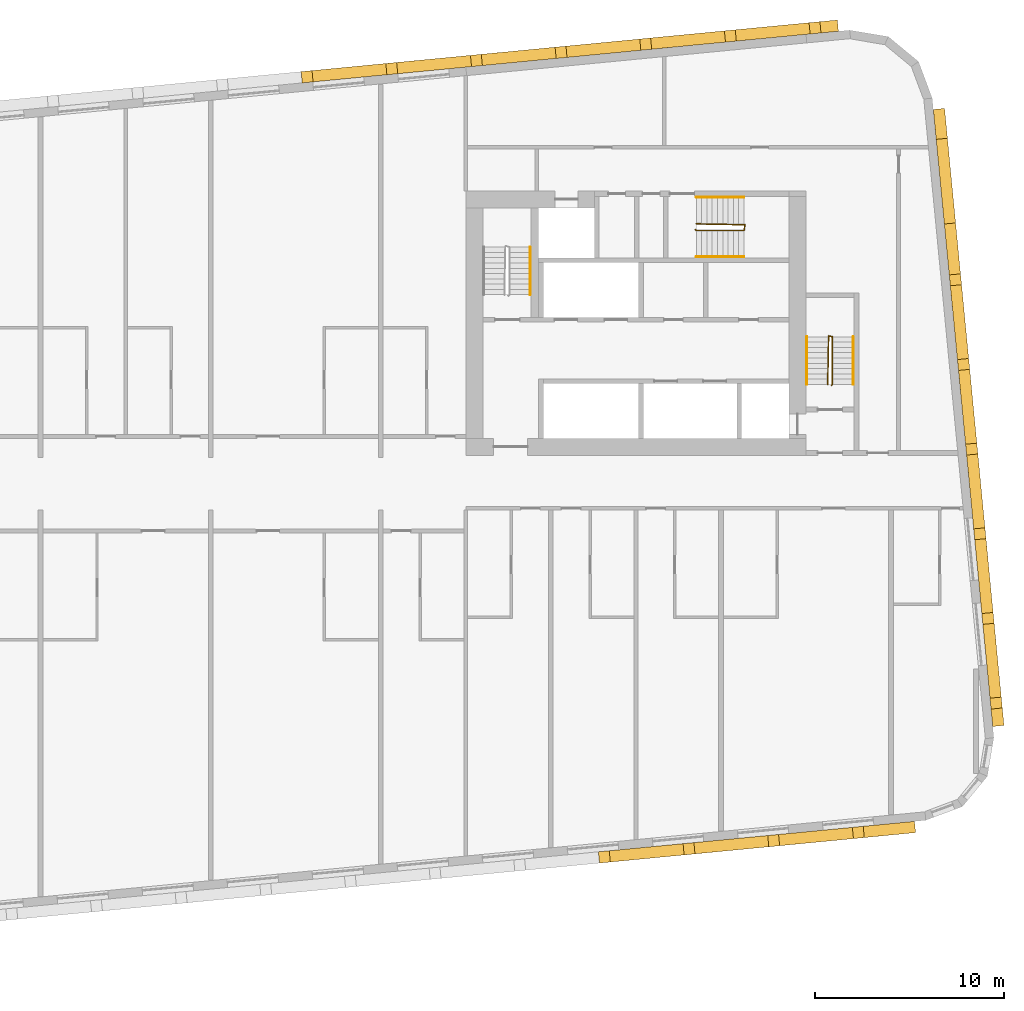
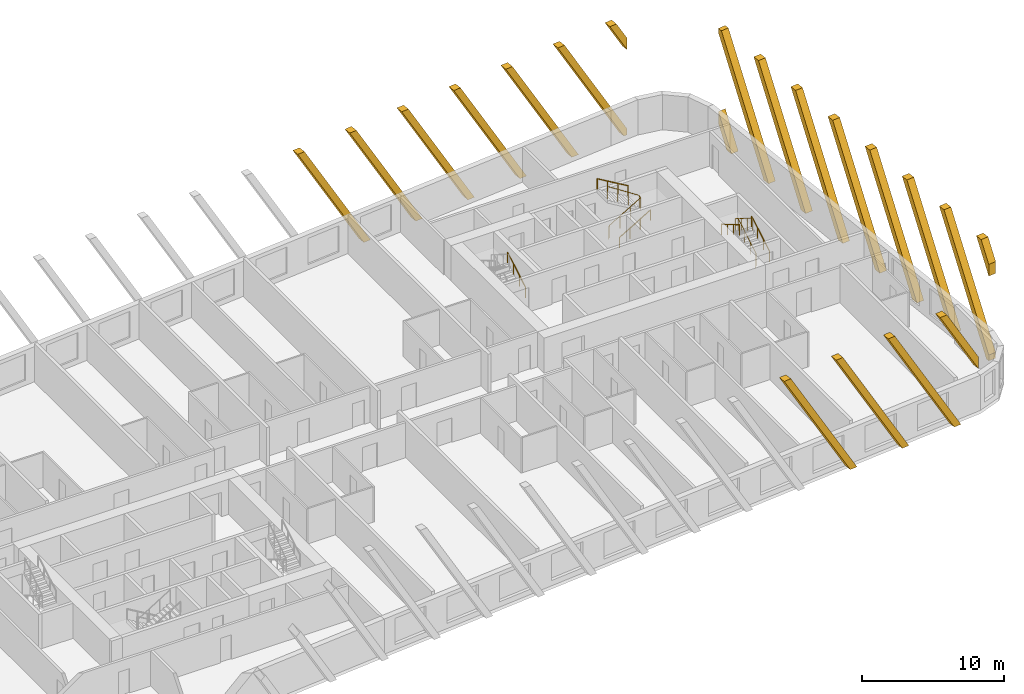
# One storey, part 13 of 13: 20 coverings, 7 railings.
"""IFC4 building model written with IfcOpenShell, lengths in metres."""

from ifc_helpers import new_model, si_unit, direction, frame, origin, origin_2d, place, context, subcontext, project, spatial, polyline, rectangle, circle, outline, extrude, material, material_profile, profile_set, type_object, element, save


model = new_model("IFC4")

# Units and contexts
model_context = context("Model", 3, precision=1e-05, world=origin(), true_north=direction((0.0, 1.0)))
body_context = subcontext(model_context, "Body", "Model", "MODEL_VIEW")
ifc_project = project(units=[si_unit("LENGTHUNIT", "METRE"), si_unit("AREAUNIT", "SQUARE_METRE"), si_unit("VOLUMEUNIT", "CUBIC_METRE"), si_unit("PLANEANGLEUNIT", "RADIAN"), si_unit("MASSUNIT", "GRAM", prefix="KILO")], contexts=[model_context])

# Site, building, storey
site_placement = place(None, origin())
site = spatial("IfcSite", under=ifc_project, at=site_placement, CompositionType="ELEMENT")
building_placement = place(site_placement, origin())
building = spatial("IfcBuilding", under=site, at=building_placement, Name="Kajstack Hotel Tower", CompositionType="ELEMENT")
storey_placement = place(building_placement, frame((0.0, 0.0, 166.89990234375)))
storey = spatial("IfcBuildingStorey", under=building, at=storey_placement, Name="L38", CompositionType="ELEMENT", Elevation=166.89990234375)

# Coverings
ifc_material_1 = material(Name="Terracotta", Category="masonry")
ifc_material_profile = material_profile(ifc_material_1, rectangle(XDim=0.60009765625, YDim=0.5, at=origin_2d()), Name="Terracotta-clad concrete baguette 500 x 600")
ifc_profile_set = profile_set([ifc_material_profile], Name="Terracotta")
covering_type = type_object("IfcCoveringType", Name="BAGUETTE 500x600", PredefinedType="CLADDING", material=ifc_profile_set)
for number, where, z_axis, x_axis, name in (
    (1, (20.515869140625, -19.477294921875, 0.0), (0.095634862357, -0.995416482233, 0.0), (0.995416482233, 0.095634862357, 0.0), "Baguette L38-04-052"),
    (2, (24.9951171875, -19.0458984375, 0.0), (0.095634862357, -0.995416482233, 0.0), (0.995416482233, 0.095634862357, 0.0), "Baguette L38-04-056"),
    (3, (29.474365234375, -18.61474609375, 0.0), (0.095634862357, -0.995416482233, 0.0), (0.995416482233, 0.095634862357, 0.0), "Baguette L38-04-060"),
):
    element("IfcCovering", number, at=place(storey_placement, frame(where, z_axis=z_axis, x_axis=x_axis)), inside=storey, type_object=covering_type, Name=name, PredefinedType="CLADDING", context=body_context, shape_type="SweptSolid", body=[
        extrude(outline(polyline([(0.0, 9.89990234375), (5.7158203125, 0.0), (6.293212890625, 0.0), (0.577392578125, 9.89990234375), (0.0, 9.89990234375)])), origin(), (0.0, 0.0, 1.0), 0.599853515625),
    ])
covering_1_placement = place(storey_placement, frame((33.95361328125, -18.183349609375, 0.0), z_axis=(0.096038073607, -0.995377661201, 0.0), x_axis=(0.995377661201, 0.096038073607, 0.0)))
element("IfcCovering", 4, at=covering_1_placement, inside=storey, type_object=covering_type, Name="Baguette L38-04-064", PredefinedType="CLADDING", context=body_context, shape_type="SweptSolid", body=[
    extrude(outline(polyline([(0.0, 9.89990234375), (3.304443359375, 4.176513671875), (3.304443359375, 5.176513671875), (0.577392578125, 9.89990234375), (0.0, 9.89990234375)])), origin(), (0.0, 0.0, 1.0), 0.599853515625),
])
covering_2_placement = place(storey_placement, frame((41.380859375, -12.846923828125, 0.0), z_axis=(0.995377661201, 0.096038073607, 0.0), x_axis=(-0.096038073607, 0.995377661201, 0.0)))
element("IfcCovering", 5, at=covering_2_placement, inside=storey, type_object=covering_type, Name="Baguette L38-08-000", PredefinedType="CLADDING", context=body_context, shape_type="SweptSolid", body=[
    extrude(outline(polyline([(0.927001953125, 9.89990234375), (0.0, 8.294189453125), (0.0, 7.294189453125), (1.50439453125, 9.89990234375), (0.927001953125, 9.89990234375)])), origin(), (0.0, 0.0, 1.0), 0.599853515625),
])
covering_3_placement = place(storey_placement, frame((41.380859375, -12.846923828125, 0.0), z_axis=(0.995377661201, 0.096038073607, 0.0), x_axis=(-0.096038073607, 0.995377661201, 0.0)))
element("IfcCovering", 6, at=covering_3_placement, inside=storey, type_object=covering_type, Name="Baguette L38-08-004", PredefinedType="CLADDING", context=body_context, shape_type="SweptSolid", body=[
    extrude(outline(polyline([(5.427001953125, 9.89990234375), (0.0, 0.5), (0.0, 0.0), (0.28857421875, 0.0), (6.00439453125, 9.89990234375), (5.427001953125, 9.89990234375)])), origin(), (0.0, 0.0, 1.0), 0.599853515625),
])
covering_4_placement = place(storey_placement, frame((40.97705078125, -8.655029296875, 0.0), z_axis=(0.995381412265, 0.095999188106, 0.0), x_axis=(-0.095999188106, 0.995381412265, 0.0)))
element("IfcCovering", 7, at=covering_4_placement, inside=storey, type_object=covering_type, Name="Baguette L38-08-008", PredefinedType="CLADDING", context=body_context, shape_type="SweptSolid", body=[
    extrude(outline(polyline([(5.7158203125, 9.89990234375), (0.0, 0.0), (0.577392578125, 0.0), (6.293212890625, 9.89990234375), (5.7158203125, 9.89990234375)])), origin(), (0.0, 0.0, 1.0), 0.60009765625),
])
covering_5_placement = place(storey_placement, frame((40.5458984375, -4.175537109375, 0.0), z_axis=(0.995416482233, 0.095634862357, 0.0), x_axis=(-0.095634862357, 0.995416482233, 0.0)))
element("IfcCovering", 8, at=covering_5_placement, inside=storey, type_object=covering_type, Name="Baguette L38-08-012", PredefinedType="CLADDING", context=body_context, shape_type="SweptSolid", body=[
    extrude(outline(polyline([(5.7158203125, 9.89990234375), (0.0, 0.0), (0.577392578125, 0.0), (6.293212890625, 9.89990234375), (5.7158203125, 9.89990234375)])), origin(), (0.0, 0.0, 1.0), 0.599853515625),
])
covering_6_placement = place(storey_placement, frame((40.114501953125, 0.3037109375, 0.0), z_axis=(0.995420202011, 0.095596137095, 0.0), x_axis=(-0.095596137095, 0.995420202011, 0.0)))
element("IfcCovering", 9, at=covering_6_placement, inside=storey, type_object=covering_type, Name="Baguette L38-08-016", PredefinedType="CLADDING", context=body_context, shape_type="SweptSolid", body=[
    extrude(outline(polyline([(5.7158203125, 9.89990234375), (0.0, 0.0), (0.577392578125, 0.0), (6.293212890625, 9.89990234375), (5.7158203125, 9.89990234375)])), origin(), (0.0, 0.0, 1.0), 0.60009765625),
])
for number, where, z_axis, x_axis, name in (
    (10, (39.683349609375, 4.782958984375, 0.0), (0.995416482233, 0.095634862357, 0.0), (-0.095634862357, 0.995416482233, 0.0), "Baguette L38-08-020"),
    (11, (39.251953125, 9.26220703125, 0.0), (0.995377661201, 0.096038073607, 0.0), (-0.096038073607, 0.995377661201, 0.0), "Baguette L38-08-024"),
):
    element("IfcCovering", number, at=place(storey_placement, frame(where, z_axis=z_axis, x_axis=x_axis)), inside=storey, type_object=covering_type, Name=name, PredefinedType="CLADDING", context=body_context, shape_type="SweptSolid", body=[
        extrude(outline(polyline([(5.7158203125, 9.89990234375), (0.0, 0.0), (0.577392578125, 0.0), (6.293212890625, 9.89990234375), (5.7158203125, 9.89990234375)])), origin(), (0.0, 0.0, 1.0), 0.599853515625),
    ])
covering_7_placement = place(storey_placement, frame((38.820556640625, 13.741455078125, 0.0), z_axis=(0.995381412265, 0.095999188106, 0.0), x_axis=(-0.095999188106, 0.995381412265, 0.0)))
element("IfcCovering", 12, at=covering_7_placement, inside=storey, type_object=covering_type, Name="Baguette L38-08-028", PredefinedType="CLADDING", context=body_context, shape_type="SweptSolid", body=[
    extrude(outline(polyline([(0.577392578125, 0.0), (6.088623046875, 9.545654296875), (6.088623046875, 9.89990234375), (5.7158203125, 9.89990234375), (0.0, 0.0), (0.577392578125, 0.0)])), origin(), (0.0, 0.0, 1.0), 0.60009765625),
])
covering_8_placement = place(storey_placement, frame((38.389404296875, 18.220703125, 0.0), z_axis=(0.995377661201, 0.096038073607, 0.0), x_axis=(-0.096038073607, 0.995377661201, 0.0)))
element("IfcCovering", 13, at=covering_8_placement, inside=storey, type_object=covering_type, Name="Baguette L38-08-032", PredefinedType="CLADDING", context=body_context, shape_type="SweptSolid", body=[
    extrude(outline(polyline([(0.577392578125, 0.0), (1.588623046875, 1.75146484375), (1.588623046875, 2.75146484375), (0.0, 0.0), (0.577392578125, 0.0)])), origin(), (0.0, 0.0, 1.0), 0.599853515625),
])
covering_9_placement = place(storey_placement, frame((33.21728515625, 23.93994140625, 0.0), z_axis=(-0.095634862357, 0.995416482233, 0.0), x_axis=(-0.995416482233, -0.095634862357, 0.0)))
element("IfcCovering", 14, at=covering_9_placement, inside=storey, type_object=covering_type, Name="Baguette L38-12-000", PredefinedType="CLADDING", context=body_context, shape_type="SweptSolid", body=[
    extrude(outline(polyline([(0.927001953125, 9.89990234375), (0.0, 8.294189453125), (0.0, 7.294189453125), (1.50439453125, 9.89990234375), (0.927001953125, 9.89990234375)])), origin(), (0.0, 0.0, 1.0), 0.599853515625),
])
covering_10_placement = place(storey_placement, frame((33.21728515625, 23.93994140625, 0.0), z_axis=(-0.095634862357, 0.995416482233, 0.0), x_axis=(-0.995416482233, -0.095634862357, 0.0)))
element("IfcCovering", 15, at=covering_10_placement, inside=storey, type_object=covering_type, Name="Baguette L38-12-004", PredefinedType="CLADDING", context=body_context, shape_type="SweptSolid", body=[
    extrude(outline(polyline([(5.427001953125, 9.89990234375), (0.0, 0.5), (0.0, 0.0), (0.28857421875, 0.0), (6.00439453125, 9.89990234375), (5.427001953125, 9.89990234375)])), origin(), (0.0, 0.0, 1.0), 0.599853515625),
])
covering_11_placement = place(storey_placement, frame((29.025390625, 23.536376953125, 0.0), z_axis=(-0.095634862357, 0.995416482233, 0.0), x_axis=(-0.995416482233, -0.095634862357, 0.0)))
element("IfcCovering", 16, at=covering_11_placement, inside=storey, type_object=covering_type, Name="Baguette L38-12-008", PredefinedType="CLADDING", context=body_context, shape_type="SweptSolid", body=[
    extrude(outline(polyline([(5.7158203125, 9.89990234375), (0.0, 0.0), (0.577392578125, 0.0), (6.293212890625, 9.89990234375), (5.7158203125, 9.89990234375)])), origin(), (0.0, 0.0, 1.0), 0.599853515625),
])
covering_12_placement = place(storey_placement, frame((24.546142578125, 23.10498046875, 0.0), z_axis=(-0.095999188106, 0.995381412265, 0.0), x_axis=(-0.995381412265, -0.095999188106, 0.0)))
element("IfcCovering", 17, at=covering_12_placement, inside=storey, type_object=covering_type, Name="Baguette L38-12-012", PredefinedType="CLADDING", context=body_context, shape_type="SweptSolid", body=[
    extrude(outline(polyline([(5.7158203125, 9.89990234375), (0.0, 0.0), (0.577392578125, 0.0), (6.293212890625, 9.89990234375), (5.7158203125, 9.89990234375)])), origin(), (0.0, 0.0, 1.0), 0.60009765625),
])
for number, where, z_axis, x_axis, name in (
    (18, (20.06689453125, 22.673828125, 0.0), (-0.096038073607, 0.995377661201, 0.0), (-0.995377661201, -0.096038073607, 0.0), "Baguette L38-12-016"),
    (19, (15.587646484375, 22.242431640625, 0.0), (-0.096038073607, 0.995377661201, 0.0), (-0.995377661201, -0.096038073607, 0.0), "Baguette L38-12-020"),
):
    element("IfcCovering", number, at=place(storey_placement, frame(where, z_axis=z_axis, x_axis=x_axis)), inside=storey, type_object=covering_type, Name=name, PredefinedType="CLADDING", context=body_context, shape_type="SweptSolid", body=[
        extrude(outline(polyline([(5.7158203125, 9.89990234375), (0.0, 0.0), (0.577392578125, 0.0), (6.293212890625, 9.89990234375), (5.7158203125, 9.89990234375)])), origin(), (0.0, 0.0, 1.0), 0.599853515625),
    ])
covering_13_placement = place(storey_placement, frame((11.1083984375, 21.81103515625, 0.0), z_axis=(-0.095999188106, 0.995381412265, 0.0), x_axis=(-0.995381412265, -0.095999188106, 0.0)))
element("IfcCovering", 20, at=covering_13_placement, inside=storey, type_object=covering_type, Name="Baguette L38-12-024", PredefinedType="CLADDING", context=body_context, shape_type="SweptSolid", body=[
    extrude(outline(polyline([(5.7158203125, 9.89990234375), (0.0, 0.0), (0.577392578125, 0.0), (6.293212890625, 9.89990234375), (5.7158203125, 9.89990234375)])), origin(), (0.0, 0.0, 1.0), 0.60009765625),
])

# Railings
ifc_material_2 = material(Name="Steel S355J2", Category="steel")
railing_type_1 = type_object("IfcRailingType", Name="Stair guard 1100", PredefinedType="GUARDRAIL", material=ifc_material_2)
railing_1_placement = place(storey_placement, frame((32.85009765625, 5.199951171875, 0.0)))
element("IfcRailing", 21, at=railing_1_placement, inside=storey, type_object=railing_type_1, Name="L38 E1 stair guard 1", PredefinedType="GUARDRAIL", context=body_context, shape_type="SweptSolid", body=[
    extrude(circle(Radius=0.02392578125, at=origin_2d()), frame((0.0, 0.0, 1.076171875), z_axis=(0.277450376394, 0.278810427259, 0.919394384522), x_axis=(-0.708833529934, 0.705375805398, 0.0)), (0.0, 0.0, 1.0), 0.179443359375),
    extrude(circle(Radius=0.02392578125, at=origin_2d()), frame((0.0498046875, 0.050048828125, 1.2412109375), z_axis=(0.0, 0.86152411907, 0.507716645641), x_axis=(-1.0, 0.0, 0.0)), (0.0, 0.0, 1.0), 2.925048828125),
    extrude(circle(Radius=0.02392578125, at=origin_2d()), frame((0.0498046875, 2.570068359375, 2.72607421875), z_axis=(-0.970072785993, 0.242814311512, 0.0), x_axis=(-0.242814311512, -0.970072785993, 0.0)), (0.0, 0.0, 1.0), 0.2060546875),
    extrude(circle(Radius=0.02392578125, at=origin_2d()), frame((-0.150146484375, 2.6201171875, 2.72607421875), z_axis=(-0.016385308676, -0.841405582595, 0.540155687962), x_axis=(0.999810440751, -0.019470042781, 0.0)), (0.0, 0.0, 1.0), 3.054443359375),
    extrude(circle(Radius=0.02099609375, at=origin_2d()), origin(), (0.0, 0.0, 1.0), 1.052001953125),
    extrude(circle(Radius=0.02099609375, at=origin_2d()), frame((0.0498046875, 0.050048828125, 0.1650390625)), (0.0, 0.0, 1.0), 1.052001953125),
    extrude(circle(Radius=0.02099609375, at=origin_2d()), frame((0.0498046875, 0.89013671875, 0.66015625)), (0.0, 0.0, 1.0), 1.052001953125),
    extrude(circle(Radius=0.02099609375, at=origin_2d()), frame((0.0498046875, 1.72998046875, 1.155029296875)), (0.0, 0.0, 1.0), 1.052001953125),
    extrude(circle(Radius=0.02099609375, at=origin_2d()), frame((0.0498046875, 2.570068359375, 1.650146484375)), (0.0, 0.0, 1.0), 1.052001953125),
    extrude(circle(Radius=0.02099609375, at=origin_2d()), frame((-0.150146484375, 2.6201171875, 1.650146484375)), (0.0, 0.0, 1.0), 1.052001953125),
    extrude(circle(Radius=0.02099609375, at=origin_2d()), frame((-0.166748046875, 1.763427734375, 2.2001953125)), (0.0, 0.0, 1.0), 1.052001953125),
    extrude(circle(Radius=0.02099609375, at=origin_2d()), frame((-0.18359375, 0.90673828125, 2.75)), (0.0, 0.0, 1.0), 1.052001953125),
    extrude(circle(Radius=0.02099609375, at=origin_2d()), frame((-0.2001953125, 0.050048828125, 3.300048828125)), (0.0, 0.0, 1.0), 1.052001953125),
])
railing_2_placement = place(storey_placement, frame((25.64990234375, 13.449951171875, 0.0)))
element("IfcRailing", 22, at=railing_2_placement, inside=storey, type_object=railing_type_1, Name="L38 E3 stair guard 1", PredefinedType="GUARDRAIL", context=body_context, shape_type="SweptSolid", body=[
    extrude(circle(Radius=0.02392578125, at=origin_2d()), frame((0.0, 0.0, 1.076171875), z_axis=(0.278705021027, -0.278705021027, 0.919046801044), x_axis=(0.707106781187, 0.707106781187, 0.0)), (0.0, 0.0, 1.0), 0.1796875),
    extrude(circle(Radius=0.02392578125, at=origin_2d()), frame((0.050048828125, -0.050048828125, 1.2412109375), z_axis=(0.86152411907, 0.0, 0.507716645641), x_axis=(0.0, 1.0, 0.0)), (0.0, 0.0, 1.0), 2.925048828125),
    extrude(circle(Radius=0.02392578125, at=origin_2d()), frame((2.570068359375, -0.050048828125, 2.72607421875), z_axis=(0.164529134168, 0.986372223864, 0.0), x_axis=(-0.986372223864, 0.164529134168, 0.0)), (0.0, 0.0, 1.0), 0.30419921875),
    extrude(circle(Radius=0.02392578125, at=origin_2d()), frame((2.6201171875, 0.25, 2.72607421875), z_axis=(-0.841405582595, 0.016385308676, 0.540155687962), x_axis=(-0.019470042781, -0.999810440751, 0.0)), (0.0, 0.0, 1.0), 3.054443359375),
    extrude(circle(Radius=0.02099609375, at=origin_2d()), origin(), (0.0, 0.0, 1.0), 1.052001953125),
    extrude(circle(Radius=0.02099609375, at=origin_2d()), frame((0.050048828125, -0.050048828125, 0.1650390625)), (0.0, 0.0, 1.0), 1.052001953125),
    extrude(circle(Radius=0.02099609375, at=origin_2d()), frame((0.89013671875, -0.050048828125, 0.66015625)), (0.0, 0.0, 1.0), 1.052001953125),
    extrude(circle(Radius=0.02099609375, at=origin_2d()), frame((1.72998046875, -0.050048828125, 1.155029296875)), (0.0, 0.0, 1.0), 1.052001953125),
    extrude(circle(Radius=0.02099609375, at=origin_2d()), frame((2.570068359375, -0.050048828125, 1.650146484375)), (0.0, 0.0, 1.0), 1.052001953125),
    extrude(circle(Radius=0.02099609375, at=origin_2d()), frame((2.6201171875, 0.25, 1.650146484375)), (0.0, 0.0, 1.0), 1.052001953125),
    extrude(circle(Radius=0.02099609375, at=origin_2d()), frame((1.763427734375, 0.2666015625, 2.2001953125)), (0.0, 0.0, 1.0), 1.052001953125),
    extrude(circle(Radius=0.02099609375, at=origin_2d()), frame((0.90673828125, 0.283447265625, 2.75)), (0.0, 0.0, 1.0), 1.052001953125),
    extrude(circle(Radius=0.02099609375, at=origin_2d()), frame((0.050048828125, 0.300048828125, 3.300048828125)), (0.0, 0.0, 1.0), 1.052001953125),
])
railing_type_2 = type_object("IfcRailingType", Name="Stair handrail 900", PredefinedType="HANDRAIL", material=ifc_material_2)
railing_3_placement = place(storey_placement, frame((34.0, 5.25, 0.1650390625)))
element("IfcRailing", 23, at=railing_3_placement, inside=storey, type_object=railing_type_2, Name="L38 E1 stair handrail 1", PredefinedType="HANDRAIL", context=body_context, shape_type="SweptSolid", body=[
    extrude(circle(Radius=0.02392578125, at=origin_2d()), frame((0.0, 0.0, 0.8759765625), z_axis=(0.0, 0.86152411907, 0.507716645641), x_axis=(-1.0, 0.0, 0.0)), (0.0, 0.0, 1.0), 2.925048828125),
    extrude(circle(Radius=0.02099609375, at=origin_2d()), origin(), (0.0, 0.0, 1.0), 0.851806640625),
    extrude(circle(Radius=0.02099609375, at=origin_2d()), frame((0.0, 0.840087890625, 0.4951171875)), (0.0, 0.0, 1.0), 0.851806640625),
    extrude(circle(Radius=0.02099609375, at=origin_2d()), frame((0.0, 1.679931640625, 0.989990234375)), (0.0, 0.0, 1.0), 0.851806640625),
    extrude(circle(Radius=0.02099609375, at=origin_2d()), frame((0.0, 2.52001953125, 1.485107421875)), (0.0, 0.0, 1.0), 0.851806640625),
])
railing_4_placement = place(storey_placement, frame((31.550048828125, 7.77001953125, 1.815185546875)))
element("IfcRailing", 24, at=railing_4_placement, inside=storey, type_object=railing_type_2, Name="L38 E1 stair handrail 2", PredefinedType="HANDRAIL", context=body_context, shape_type="SweptSolid", body=[
    extrude(circle(Radius=0.02392578125, at=origin_2d()), frame((0.0, 0.0, 0.8759765625), z_axis=(0.0, -0.861560626758, 0.507654692109), x_axis=(1.0, 0.0, 0.0)), (0.0, 0.0, 1.0), 2.925048828125),
    extrude(circle(Radius=0.02099609375, at=origin_2d()), origin(), (0.0, 0.0, 1.0), 0.851806640625),
    extrude(circle(Radius=0.02099609375, at=origin_2d()), frame((0.0, -0.840087890625, 0.494873046875)), (0.0, 0.0, 1.0), 0.851806640625),
    extrude(circle(Radius=0.02099609375, at=origin_2d()), frame((0.0, -1.679931640625, 0.989990234375)), (0.0, 0.0, 1.0), 0.851806640625),
    extrude(circle(Radius=0.02099609375, at=origin_2d()), frame((0.0, -2.52001953125, 1.48486328125)), (0.0, 0.0, 1.0), 0.851806640625),
])
railing_5_placement = place(storey_placement, frame((16.89990234375, 10.0, 0.1650390625)))
element("IfcRailing", 25, at=railing_5_placement, inside=storey, type_object=railing_type_2, Name="L38 E2 stair handrail 1", PredefinedType="HANDRAIL", context=body_context, shape_type="SweptSolid", body=[
    extrude(circle(Radius=0.02392578125, at=origin_2d()), frame((0.0, 0.0, 0.8759765625), z_axis=(0.0, 0.86152411907, 0.507716645641), x_axis=(-1.0, 0.0, 0.0)), (0.0, 0.0, 1.0), 2.925048828125),
    extrude(circle(Radius=0.02099609375, at=origin_2d()), origin(), (0.0, 0.0, 1.0), 0.851806640625),
    extrude(circle(Radius=0.02099609375, at=origin_2d()), frame((0.0, 0.840087890625, 0.4951171875)), (0.0, 0.0, 1.0), 0.851806640625),
    extrude(circle(Radius=0.02099609375, at=origin_2d()), frame((0.0, 1.679931640625, 0.989990234375)), (0.0, 0.0, 1.0), 0.851806640625),
    extrude(circle(Radius=0.02099609375, at=origin_2d()), frame((0.0, 2.52001953125, 1.485107421875)), (0.0, 0.0, 1.0), 0.851806640625),
])
railing_6_placement = place(storey_placement, frame((25.699951171875, 12.0, 0.1650390625)))
element("IfcRailing", 26, at=railing_6_placement, inside=storey, type_object=railing_type_2, Name="L38 E3 stair handrail 1", PredefinedType="HANDRAIL", context=body_context, shape_type="SweptSolid", body=[
    extrude(circle(Radius=0.02392578125, at=origin_2d()), frame((0.0, 0.0, 0.8759765625), z_axis=(0.86152411907, 0.0, 0.507716645641), x_axis=(0.0, 1.0, 0.0)), (0.0, 0.0, 1.0), 2.925048828125),
    extrude(circle(Radius=0.02099609375, at=origin_2d()), origin(), (0.0, 0.0, 1.0), 0.851806640625),
    extrude(circle(Radius=0.02099609375, at=origin_2d()), frame((0.840087890625, 0.0, 0.4951171875)), (0.0, 0.0, 1.0), 0.851806640625),
    extrude(circle(Radius=0.02099609375, at=origin_2d()), frame((1.679931640625, 0.0, 0.989990234375)), (0.0, 0.0, 1.0), 0.851806640625),
    extrude(circle(Radius=0.02099609375, at=origin_2d()), frame((2.52001953125, 0.0, 1.485107421875)), (0.0, 0.0, 1.0), 0.851806640625),
])
railing_7_placement = place(storey_placement, frame((28.219970703125, 15.14990234375, 1.815185546875)))
element("IfcRailing", 27, at=railing_7_placement, inside=storey, type_object=railing_type_2, Name="L38 E3 stair handrail 2", PredefinedType="HANDRAIL", context=body_context, shape_type="SweptSolid", body=[
    extrude(circle(Radius=0.02392578125, at=origin_2d()), frame((0.0, 0.0, 0.8759765625), z_axis=(-0.861560626758, 0.0, 0.507654692109), x_axis=(0.0, -1.0, 0.0)), (0.0, 0.0, 1.0), 2.925048828125),
    extrude(circle(Radius=0.02099609375, at=origin_2d()), origin(), (0.0, 0.0, 1.0), 0.851806640625),
    extrude(circle(Radius=0.02099609375, at=origin_2d()), frame((-0.840087890625, 0.0, 0.494873046875)), (0.0, 0.0, 1.0), 0.851806640625),
    extrude(circle(Radius=0.02099609375, at=origin_2d()), frame((-1.679931640625, 0.0, 0.989990234375)), (0.0, 0.0, 1.0), 0.851806640625),
    extrude(circle(Radius=0.02099609375, at=origin_2d()), frame((-2.52001953125, 0.0, 1.48486328125)), (0.0, 0.0, 1.0), 0.851806640625),
])

save(model, "model.ifc")
